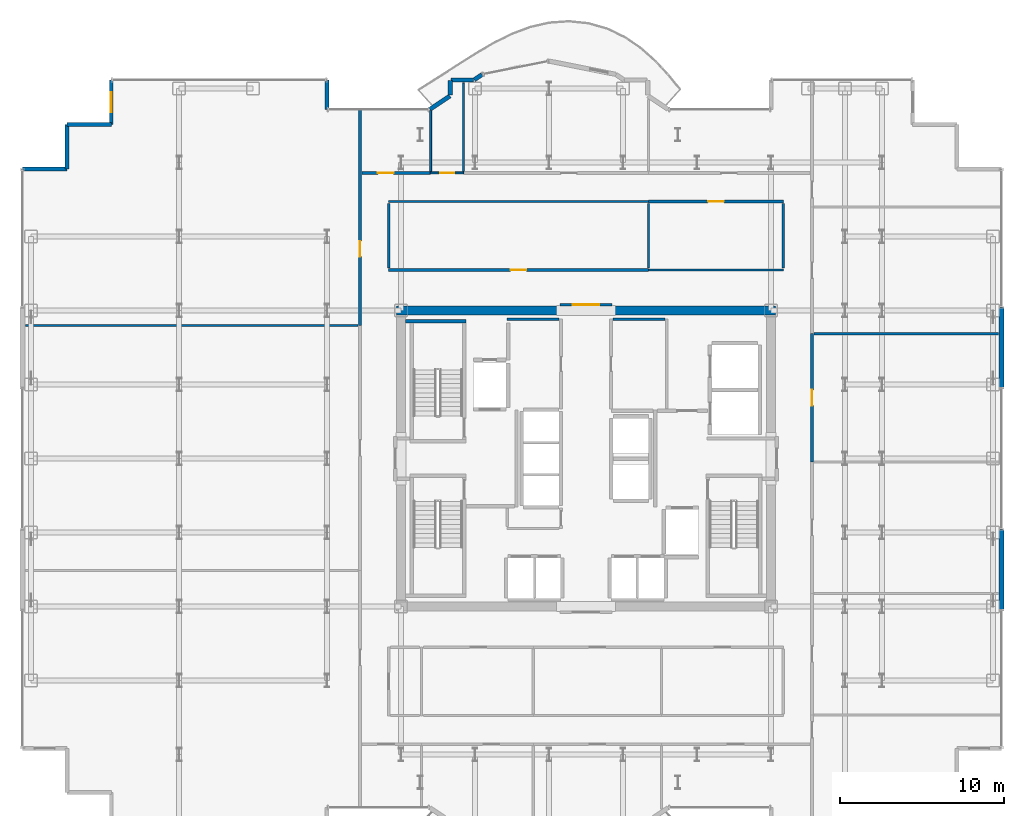
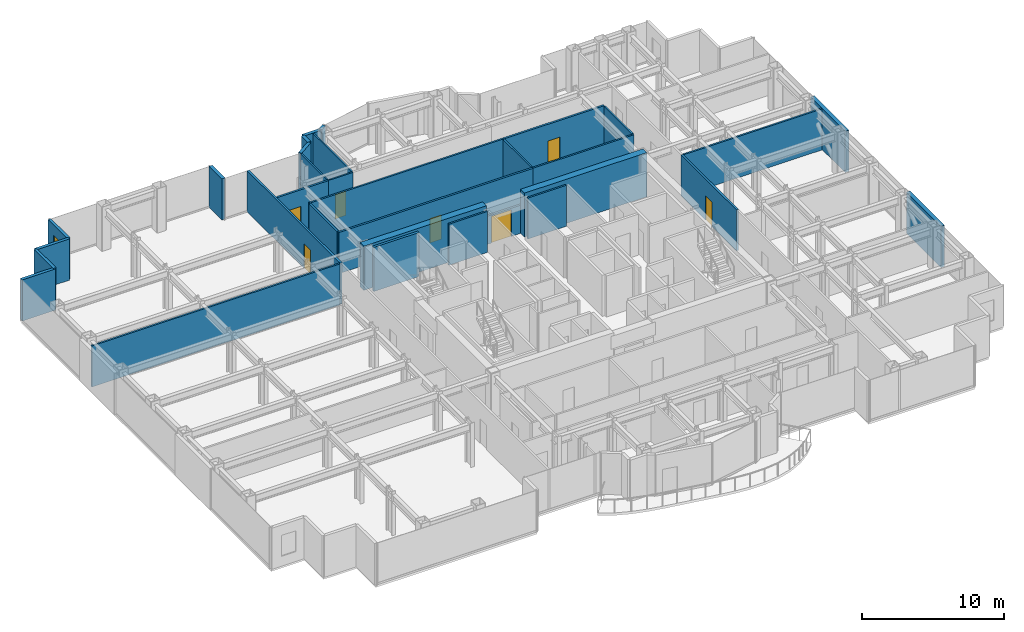
# One storey, part 22 of 25: 32 walls, 7 doors, 1 window, 8 openings.
"""IFC4 building model written with IfcOpenShell, lengths in metres."""

from ifc_helpers import new_model, si_unit, direction, frame, frame_2d, origin, place, context, subcontext, project, spatial, rectangle, extrude, source, transform, mapped, material, layer, layer_set, type_object, element, fill, save


model = new_model("IFC4")

# Units and contexts
model_context = context("Model", 3, precision=1e-05, world=origin(), true_north=direction((0.0, 1.0)))
body_context = subcontext(model_context, "Body", "Model", "MODEL_VIEW")
ifc_project = project(units=[si_unit("LENGTHUNIT", "METRE"), si_unit("AREAUNIT", "SQUARE_METRE"), si_unit("VOLUMEUNIT", "CUBIC_METRE"), si_unit("PLANEANGLEUNIT", "RADIAN"), si_unit("MASSUNIT", "GRAM", prefix="KILO")], contexts=[model_context])

# Site, building, storey
site_placement = place(None, origin())
site = spatial("IfcSite", under=ifc_project, at=site_placement, CompositionType="ELEMENT")
building_placement = place(site_placement, origin())
building = spatial("IfcBuilding", under=site, at=building_placement, Name="Nefas-Gora Pilgrimage Tower", CompositionType="ELEMENT")
storey_placement = place(building_placement, frame((0.0, 0.0, 194.39990234375)))
storey = spatial("IfcBuildingStorey", under=building, at=storey_placement, Name="L48", CompositionType="ELEMENT", Elevation=194.39990234375)

# Walls
ifc_material_1 = material(Name="Concrete C60/75", Category="concrete")
ifc_layer_1 = layer(ifc_material_1, 0.550048828125)
ifc_layer_set_1 = layer_set([ifc_layer_1], Name="Concrete C60/75")
wall_type_1 = type_object("IfcWallType", Name="SW-CORE-550", PredefinedType="SHEAR", material=ifc_layer_set_1)
shared_shape_1 = source(origin(), body_context, "Body", "SweptSolid", [
    extrude(rectangle(XDim=9.974853515625, YDim=0.550048828125, at=frame_2d((4.9873046875, 0.0))), origin(), (0.0, 0.0, 1.0), 3.800048828125),
])
for number, where, z_axis, x_axis, name in (
    (1, (-11.52490234375, 9.0, 0.0), (0.0, 0.0, 1.0), (1.0, 0.0, 0.0), "L48 Core Shear Wall N-West"),
    (2, (1.550048828125, 9.0, 0.0), (0.0, 0.0, 1.0), (1.0, 0.0, 0.0), "L48 Core Shear Wall N-East"),
):
    element("IfcWall", number, at=place(storey_placement, frame(where, z_axis=z_axis, x_axis=x_axis)), inside=storey, type_object=wall_type_1, Name=name, PredefinedType="SHEAR", context=body_context, shape_type="MappedRepresentation", body=[
        mapped(shared_shape_1, transform((0.0, 0.0, 0.0), x_axis=(1.0, 0.0, 0.0), y_axis=(0.0, 1.0, 0.0), z_axis=(0.0, 0.0, 1.0), scale=1.0)),
    ])
ifc_material_2 = material(Name="Precast concrete C45/55", Category="concrete")
ifc_layer_2 = layer(ifc_material_2, 0.239990234375)
ifc_layer_set_2 = layer_set([ifc_layer_2], Name="Precast concrete C45/55")
wall_type_2 = type_object("IfcWallType", Name="EW-SERR-240", PredefinedType="SHEAR", material=ifc_layer_set_2)
shared_shape_2 = source(origin(), body_context, "Body", "SweptSolid", [
    extrude(rectangle(XDim=4.8798828125, YDim=0.300048828125, at=frame_2d((2.43994140625, 0.0))), origin(), (0.0, 0.0, 1.0), 3.550048828125),
])
for number, where, z_axis, x_axis, name in (
    (3, (25.27001953125, -9.18994140625, 0.0), (0.0, 0.0, 1.0), (0.0, 1.0, 0.0), "L48 Braced-Tube Precast Shear Cladding 3"),
    (4, (25.27001953125, 4.31005859375, 0.0), (0.0, 0.0, 1.0), (0.0, 1.0, 0.0), "L48 Braced-Tube Precast Shear Cladding 4"),
):
    element("IfcWall", number, at=place(storey_placement, frame(where, z_axis=z_axis, x_axis=x_axis)), inside=storey, type_object=wall_type_2, Name=name, PredefinedType="SHEAR", context=body_context, shape_type="MappedRepresentation", body=[
        mapped(shared_shape_2, transform((0.0, 0.0, 0.0), x_axis=(1.0, 0.0, 0.0), y_axis=(0.0, 1.0, 0.0), z_axis=(0.0, 0.0, 1.0), scale=1.0)),
    ])
ifc_material_3 = material(Name="Precast concrete C40/50", Category="concrete")
ifc_layer_3 = layer(ifc_material_3, 0.260009765625)
ifc_layer_set_3 = layer_set([ifc_layer_3], Name="Precast concrete C40/50")
wall_type_3 = type_object("IfcWallType", Name="EW-PORTAL-260", PredefinedType="SOLIDWALL", material=ifc_layer_set_3)
shared_shape_3 = source(origin(), body_context, "Body", "SweptSolid", [
    extrude(rectangle(XDim=1.800048828125, YDim=0.260009765625, at=frame_2d((0.89990234375, 0.0))), origin(), (0.0, 0.0, 1.0), 3.550048828125),
])
wall_1_placement = place(storey_placement, frame((-15.75, 21.219970703125, 0.0), z_axis=(0.0, 0.0, 1.0), x_axis=(0.0, 1.0, 0.0)))
element("IfcWall", 5, at=wall_1_placement, inside=storey, type_object=wall_type_3, Name="L48 Lobe Shoulder Precast Spandrel Pier 24", PredefinedType="SOLIDWALL", context=body_context, shape_type="MappedRepresentation", body=[
    mapped(shared_shape_3, transform((0.0, 0.0, 0.0), x_axis=(1.0, 0.0, 0.0), y_axis=(0.0, 1.0, 0.0), z_axis=(0.0, 0.0, 1.0), scale=1.0)),
])

# Wall, opening, window
shared_shape_4 = source(origin(), body_context, "Body", "SweptSolid", [
    extrude(rectangle(XDim=2.699951171875, YDim=0.239990234375, at=frame_2d((1.35009765625, 0.0))), origin(), (0.0, 0.0, 1.0), 3.550048828125),
])
wall_2_placement = place(storey_placement, frame((-28.8701171875, 23.02001953125, 0.0), z_axis=(0.0, 0.0, 1.0), x_axis=(0.0, -1.0, 0.0)))
wall_2 = element("IfcWall", 6, at=wall_2_placement, inside=storey, type_object=wall_type_2, Name="L48 Serrated Corner Shear Pier Wall 25", PredefinedType="SHEAR", context=body_context, shape_type="MappedRepresentation", body=[
    mapped(shared_shape_4, transform((0.0, 0.0, 0.0), x_axis=(1.0, 0.0, 0.0), y_axis=(0.0, 1.0, 0.0), z_axis=(0.0, 0.0, 1.0), scale=1.0)),
])
opening_1_placement = place(wall_2_placement, frame((0.75, 0.0, 0.85009765625)))
opening_1 = element("IfcOpeningElement", 7, at=opening_1_placement, cuts=wall_2, Name="Opening W-V1", PredefinedType="OPENING", context=body_context, shape_type="SweptSolid", body=[
    extrude(rectangle(XDim=1.199951171875, YDim=1.800048828125, at=frame_2d((0.60009765625, 0.89990234375))), frame((0.0, 0.1298828125, 0.0), z_axis=(0.0, -1.0, 0.0), x_axis=(1.0, 0.0, 0.0)), (0.0, 0.0, 1.0), 0.260009765625),
])
ifc_material_4 = material(Name="Dark ceramic-fritted operable aluminium-glass window", Category="aluminium")
window_type = type_object("IfcWindowType", Name="WIN-VENT-1200x1800", PartitioningType="SINGLE_PANEL", PredefinedType="WINDOW", material=ifc_material_4)
shared_shape_5 = source(origin(), body_context, "Body", "SweptSolid", [
    extrude(rectangle(XDim=1.199951171875, YDim=1.800048828125, at=frame_2d((0.60009765625, 0.89990234375))), frame((0.0, 0.030029296875, 0.0), z_axis=(0.0, -1.0, 0.0), x_axis=(1.0, 0.0, 0.0)), (0.0, 0.0, 1.0), 0.06005859375),
])
window_placement = place(opening_1_placement, origin())
window = element("IfcWindow", 8, at=window_placement, inside=storey, type_object=window_type, Name="L48 Operable Parallel-Outswing Window 25", OverallHeight=1.800048828125, OverallWidth=1.199951171875, PartitioningType="SINGLE_PANEL", PredefinedType="WINDOW", context=body_context, shape_type="MappedRepresentation", body=[
    mapped(shared_shape_5, transform((0.0, 0.0, 0.0), x_axis=(1.0, 0.0, 0.0), y_axis=(0.0, 1.0, 0.0), z_axis=(0.0, 0.0, 1.0), scale=1.0)),
])
fill(opening_1, window)

# Walls
for number, where, z_axis, x_axis, name in (
    (9, (-28.8701171875, 20.320068359375, 0.0), (0.0, 0.0, 1.0), (-1.0, 0.0, 0.0), "L48 Serrated Corner Shear Pier Wall 26"),
    (10, (-31.570068359375, 20.320068359375, 0.0), (0.0, 0.0, 1.0), (0.0, -1.0, 0.0), "L48 Serrated Corner Shear Pier Wall 27"),
    (11, (-31.570068359375, 17.6201171875, 0.0), (0.0, 0.0, 1.0), (-1.0, 0.0, 0.0), "L48 Serrated Corner Shear Pier Wall 28"),
):
    element("IfcWall", number, at=place(storey_placement, frame(where, z_axis=z_axis, x_axis=x_axis)), inside=storey, type_object=wall_type_2, Name=name, PredefinedType="SHEAR", context=body_context, shape_type="MappedRepresentation", body=[
        mapped(shared_shape_4, transform((0.0, 0.0, 0.0), x_axis=(1.0, 0.0, 0.0), y_axis=(0.0, 1.0, 0.0), z_axis=(0.0, 0.0, 1.0), scale=1.0)),
    ])
shared_shape_6 = source(origin(), body_context, "Body", "SweptSolid", [
    extrude(rectangle(XDim=1.468994140625, YDim=0.260009765625, at=frame_2d((0.734375, 0.0))), origin(), (0.0, 0.0, 1.0), 3.550048828125),
])
wall_3_placement = place(storey_placement, frame((-8.273193359375, 22.0517578125, 0.0), z_axis=(0.0, 0.0, 1.0), x_axis=(-0.831461760506, -0.555581983884, 0.0)))
element("IfcWall", 12, at=wall_3_placement, inside=storey, type_object=wall_type_3, Name="L48 Lobe Shoulder Precast Spandrel Pier 23", PredefinedType="SOLIDWALL", context=body_context, shape_type="MappedRepresentation", body=[
    mapped(shared_shape_6, transform((0.0, 0.0, 0.0), x_axis=(1.0, 0.0, 0.0), y_axis=(0.0, 1.0, 0.0), z_axis=(0.0, 0.0, 1.0), scale=1.0)),
])
shared_shape_7 = source(origin(), body_context, "Body", "SweptSolid", [
    extrude(rectangle(XDim=0.896728515625, YDim=0.260009765625, at=frame_2d((0.4482421875, 0.0))), origin(), (0.0, 0.0, 1.0), 3.550048828125),
])
wall_4_placement = place(storey_placement, frame((-8.25, 22.991943359375, 0.0), z_axis=(0.0, 0.0, 1.0), x_axis=(0.0, -1.0, 0.0)))
element("IfcWall", 13, at=wall_4_placement, inside=storey, type_object=wall_type_3, Name="L48 Lobe Shoulder Precast Spandrel Pier 22", PredefinedType="SOLIDWALL", context=body_context, shape_type="MappedRepresentation", body=[
    mapped(shared_shape_7, transform((0.0, 0.0, 0.0), x_axis=(1.0, 0.0, 0.0), y_axis=(0.0, 1.0, 0.0), z_axis=(0.0, 0.0, 1.0), scale=1.0)),
])
shared_shape_8 = source(origin(), body_context, "Body", "SweptSolid", [
    extrude(rectangle(XDim=1.369873046875, YDim=0.260009765625, at=frame_2d((0.68505859375, 0.0))), origin(), (0.0, 0.0, 1.0), 3.550048828125),
])
wall_5_placement = place(storey_placement, frame((-6.85205078125, 23.02001953125, 0.0), z_axis=(0.0, 0.0, 1.0), x_axis=(-1.0, 0.0, 0.0)))
element("IfcWall", 14, at=wall_5_placement, inside=storey, type_object=wall_type_3, Name="L48 Lobe Shoulder Precast Spandrel Pier 21", PredefinedType="SOLIDWALL", context=body_context, shape_type="MappedRepresentation", body=[
    mapped(shared_shape_8, transform((0.0, 0.0, 0.0), x_axis=(1.0, 0.0, 0.0), y_axis=(0.0, 1.0, 0.0), z_axis=(0.0, 0.0, 1.0), scale=1.0)),
])
shared_shape_9 = source(origin(), body_context, "Body", "SweptSolid", [
    extrude(rectangle(XDim=0.5654296875, YDim=0.260009765625, at=frame_2d((0.28271484375, 0.0))), origin(), (0.0, 0.0, 1.0), 3.550048828125),
])
wall_6_placement = place(storey_placement, frame((-6.33056640625, 23.349609375, 0.0), z_axis=(0.0, 0.0, 1.0), x_axis=(-0.831651492666, -0.555297933317, 0.0)))
element("IfcWall", 15, at=wall_6_placement, inside=storey, type_object=wall_type_3, Name="L48 Lobe Shoulder Precast Spandrel Pier 20", PredefinedType="SOLIDWALL", context=body_context, shape_type="MappedRepresentation", body=[
    mapped(shared_shape_9, transform((0.0, 0.0, 0.0), x_axis=(1.0, 0.0, 0.0), y_axis=(0.0, 1.0, 0.0), z_axis=(0.0, 0.0, 1.0), scale=1.0)),
])
ifc_material_5 = material(Name="Concrete C45/55", Category="concrete")
ifc_layer_4 = layer(ifc_material_5, 0.199951171875)
ifc_layer_set_4 = layer_set([ifc_layer_4], Name="Concrete C45/55")
wall_type_4 = type_object("IfcWallType", Name="IW-STAIR-200", PredefinedType="SOLIDWALL", material=ifc_layer_set_4)
shared_shape_10 = source(origin(), body_context, "Body", "SweptSolid", [
    extrude(rectangle(XDim=3.679931640625, YDim=0.199951171875, at=frame_2d((1.83984375, 0.0))), origin(), (0.0, 0.0, 1.0), 3.800048828125),
])
wall_7_placement = place(storey_placement, frame((-7.300048828125, 8.35009765625, 0.0), z_axis=(0.0, 0.0, 1.0), x_axis=(-1.0, 0.0, 0.0)))
element("IfcWall", 16, at=wall_7_placement, inside=storey, type_object=wall_type_4, Name="L48 Stairwell Shear Wall ST-01-far", PredefinedType="SOLIDWALL", context=body_context, shape_type="MappedRepresentation", body=[
    mapped(shared_shape_10, transform((0.0, 0.0, 0.0), x_axis=(1.0, 0.0, 0.0), y_axis=(0.0, 1.0, 0.0), z_axis=(0.0, 0.0, 1.0), scale=1.0)),
])
ifc_material_6 = material(Name="Gypsum twin-stud partition")
ifc_layer_5 = layer(ifc_material_6, 0.139892578125)
ifc_layer_set_5 = layer_set([ifc_layer_5], Name="Gypsum twin-stud partition")
wall_type_5 = type_object("IfcWallType", Name="IW-UNIT-140", PredefinedType="PARTITIONING", material=ifc_layer_set_5)
shared_shape_11 = source(origin(), body_context, "Body", "SweptSolid", [
    extrude(rectangle(XDim=3.150146484375, YDim=0.139892578125, at=frame_2d((1.5751953125, 0.0))), origin(), (0.0, 0.0, 1.0), 3.53515625),
])
for number, where, z_axis, x_axis, name in (
    (17, (-4.7900390625, 8.47998046875, 0.0), (0.0, 0.0, 1.0), (1.0, 0.0, 0.0), "L48 Housekeeping and Linen Store Partition Wall 19"),
    (18, (1.639892578125, 8.47998046875, 0.0), (0.0, 0.0, 1.0), (1.0, 0.0, 0.0), "L48 Freed Bank-1 Amenity Supply Store Partition Wall 24"),
):
    element("IfcWall", number, at=place(storey_placement, frame(where, z_axis=z_axis, x_axis=x_axis)), inside=storey, type_object=wall_type_5, Name=name, PredefinedType="PARTITIONING", context=body_context, shape_type="MappedRepresentation", body=[
        mapped(shared_shape_11, transform((0.0, 0.0, 0.0), x_axis=(1.0, 0.0, 0.0), y_axis=(0.0, 1.0, 0.0), z_axis=(0.0, 0.0, 1.0), scale=1.0)),
    ])

# Wall, opening, door
ifc_material_7 = material(Name="Moisture-resistant fire-rated gypsum partition")
ifc_layer_6 = layer(ifc_material_7, 0.1201171875)
ifc_layer_set_6 = layer_set([ifc_layer_6], Name="Moisture-resistant fire-rated gypsum partition")
wall_type_6 = type_object("IfcWallType", Name="IW-WET-120", PredefinedType="PLUMBINGWALL", material=ifc_layer_set_6)
shared_shape_12 = source(origin(), body_context, "Body", "SweptSolid", [
    extrude(rectangle(XDim=2.02001953125, YDim=0.1201171875, at=frame_2d((1.010009765625, 0.0))), origin(), (0.0, 0.0, 1.0), 3.53515625),
])
wall_8_placement = place(storey_placement, frame((-9.4599609375, 17.3701171875, 0.0), z_axis=(0.0, 0.0, 1.0), x_axis=(1.0, 0.0, 0.0)))
wall_8 = element("IfcWall", 19, at=wall_8_placement, inside=storey, type_object=wall_type_6, Name="L48 Accessible Unisex WC Partition Wall 25", PredefinedType="PLUMBINGWALL", context=body_context, shape_type="MappedRepresentation", body=[
    mapped(shared_shape_12, transform((0.0, 0.0, 0.0), x_axis=(1.0, 0.0, 0.0), y_axis=(0.0, 1.0, 0.0), z_axis=(0.0, 0.0, 1.0), scale=1.0)),
])
opening_2_placement = place(wall_8_placement, frame((0.5849609375, 0.0, 0.0)))
opening_2 = element("IfcOpeningElement", 20, at=opening_2_placement, cuts=wall_8, Name="Opening ID-BT1", PredefinedType="OPENING", context=body_context, shape_type="SweptSolid", body=[
    extrude(rectangle(XDim=0.85009765625, YDim=2.10009765625, at=frame_2d((0.425048828125, 1.050048828125))), frame((0.0, 0.070068359375, 0.0), z_axis=(0.0, -1.0, 0.0), x_axis=(1.0, 0.0, 0.0)), (0.0, 0.0, 1.0), 0.14013671875),
])
ifc_material_8 = material(Name="Moisture-resistant fire-rated timber door", Category="wood")
door_type_1 = type_object("IfcDoorType", Name="DR-INT-BATH-850", OperationType="NOTDEFINED", PredefinedType="DOOR", material=ifc_material_8)
shared_shape_13 = source(origin(), body_context, "Body", "SweptSolid", [
    extrude(rectangle(XDim=0.85009765625, YDim=2.10009765625, at=frame_2d((0.425048828125, 1.050048828125))), frame((0.0, 0.02490234375, 0.0), z_axis=(0.0, -1.0, 0.0), x_axis=(1.0, 0.0, 0.0)), (0.0, 0.0, 1.0), 0.050048828125),
])
door_1_placement = place(opening_2_placement, origin())
door_1 = element("IfcDoor", 21, at=door_1_placement, inside=storey, type_object=door_type_1, Name="L48 Accessible Unisex WC Door 10", OperationType="SINGLE_SWING_LEFT", OverallHeight=2.10009765625, OverallWidth=0.85009765625, PredefinedType="DOOR", context=body_context, shape_type="MappedRepresentation", body=[
    mapped(shared_shape_13, transform((0.0, 0.0, 0.0), x_axis=(1.0, 0.0, 0.0), y_axis=(0.0, 1.0, 0.0), z_axis=(0.0, 0.0, 1.0), scale=1.0)),
])
fill(opening_2, door_1)

# Wall
shared_shape_14 = source(origin(), body_context, "Body", "SweptSolid", [
    extrude(rectangle(XDim=20.219970703125, YDim=0.139892578125, at=frame_2d((10.10986328125, 0.0))), origin(), (0.0, 0.0, 1.0), 3.53515625),
])
wall_9_placement = place(storey_placement, frame((-34.080078125, 8.097412109375, 0.0), z_axis=(0.0, 0.0, 1.0), x_axis=(1.0, 0.0, 0.0)))
element("IfcWall", 22, at=wall_9_placement, inside=storey, type_object=wall_type_5, Name="L48 Pilgrim Devotional Prayer Gallery Partition Wall 31", PredefinedType="PARTITIONING", context=body_context, shape_type="MappedRepresentation", body=[
    mapped(shared_shape_14, transform((0.0, 0.0, 0.0), x_axis=(1.0, 0.0, 0.0), y_axis=(0.0, 1.0, 0.0), z_axis=(0.0, 0.0, 1.0), scale=1.0)),
])

# Wall, opening, door
ifc_material_9 = material(Name="Gypsum acoustic stud partition")
ifc_layer_7 = layer(ifc_material_9, 0.159912109375)
ifc_layer_set_7 = layer_set([ifc_layer_7], Name="Gypsum acoustic stud partition")
wall_type_7 = type_object("IfcWallType", Name="IW-CORR-160", PredefinedType="PARTITIONING", material=ifc_layer_set_7)
shared_shape_15 = source(origin(), body_context, "Body", "SweptSolid", [
    extrude(rectangle(XDim=3.16015625, YDim=0.159912109375, at=frame_2d((1.580078125, 0.0))), origin(), (0.0, 0.0, 1.0), 2.425048828125),
])
wall_10_placement = place(storey_placement, frame((-1.580078125, 9.35009765625, 0.0), z_axis=(0.0, 0.0, 1.0), x_axis=(1.0, 0.0, 0.0)))
wall_10 = element("IfcWall", 23, at=wall_10_placement, inside=storey, type_object=wall_type_7, Name="L48 Central Lift Lobby North Portal Wall 15", PredefinedType="PARTITIONING", context=body_context, shape_type="MappedRepresentation", body=[
    mapped(shared_shape_15, transform((0.0, 0.0, 0.0), x_axis=(1.0, 0.0, 0.0), y_axis=(0.0, 1.0, 0.0), z_axis=(0.0, 0.0, 1.0), scale=1.0)),
])
opening_3_placement = place(wall_10_placement, frame((0.780029296875, 0.0, 0.0)))
opening_3 = element("IfcOpeningElement", 24, at=opening_3_placement, cuts=wall_10, Name="Opening ID-HL1", PredefinedType="OPENING", context=body_context, shape_type="SweptSolid", body=[
    extrude(rectangle(XDim=1.60009765625, YDim=2.300048828125, at=frame_2d((0.800048828125, 1.14990234375))), frame((0.0, 0.08984375, 0.0), z_axis=(0.0, -1.0, 0.0), x_axis=(1.0, 0.0, 0.0)), (0.0, 0.0, 1.0), 0.179931640625),
])
ifc_material_10 = material(Name="Double acoustic timber assembly hall door", Category="wood")
door_type_2 = type_object("IfcDoorType", Name="DR-INT-HALL-1600", OperationType="DOUBLE_DOOR_SINGLE_SWING", PredefinedType="DOOR", material=ifc_material_10)
shared_shape_16 = source(origin(), body_context, "Body", "SweptSolid", [
    extrude(rectangle(XDim=1.60009765625, YDim=2.300048828125, at=frame_2d((0.800048828125, 1.14990234375))), frame((0.0, 0.02490234375, 0.0), z_axis=(0.0, -1.0, 0.0), x_axis=(1.0, 0.0, 0.0)), (0.0, 0.0, 1.0), 0.050048828125),
])
door_2_placement = place(opening_3_placement, origin())
door_2 = element("IfcDoor", 25, at=door_2_placement, inside=storey, type_object=door_type_2, Name="L48 Central Lift Lobby North Portal Door 5", OperationType="DOUBLE_DOOR_SINGLE_SWING", OverallHeight=2.300048828125, OverallWidth=1.60009765625, PredefinedType="DOOR", context=body_context, shape_type="MappedRepresentation", body=[
    mapped(shared_shape_16, transform((0.0, 0.0, 0.0), x_axis=(1.0, 0.0, 0.0), y_axis=(0.0, 1.0, 0.0), z_axis=(0.0, 0.0, 1.0), scale=1.0)),
])
fill(opening_3, door_2)

# Walls
shared_shape_17 = source(origin(), body_context, "Body", "SweptSolid", [
    extrude(rectangle(XDim=5.380126953125, YDim=0.1201171875, at=frame_2d((2.68994140625, 0.0))), origin(), (0.0, 0.0, 1.0), 3.53515625),
])
wall_11_placement = place(storey_placement, frame((-7.449951171875, 17.469970703125, 0.0), z_axis=(0.0, 0.0, 1.0), x_axis=(0.0, 1.0, 0.0)))
element("IfcWall", 26, at=wall_11_placement, inside=storey, type_object=wall_type_6, Name="L48 Accessible Unisex WC Partition Wall 26", PredefinedType="PLUMBINGWALL", context=body_context, shape_type="MappedRepresentation", body=[
    mapped(shared_shape_17, transform((0.0, 0.0, 0.0), x_axis=(1.0, 0.0, 0.0), y_axis=(0.0, 1.0, 0.0), z_axis=(0.0, 0.0, 1.0), scale=1.0)),
])
shared_shape_18 = source(origin(), body_context, "Body", "SweptSolid", [
    extrude(rectangle(XDim=3.686767578125, YDim=0.1201171875, at=frame_2d((1.84326171875, 0.0))), origin(), (0.0, 0.0, 1.0), 3.53515625),
])
wall_12_placement = place(storey_placement, frame((-9.449951171875, 17.469970703125, 0.0), z_axis=(0.0, 0.0, 1.0), x_axis=(0.0, 1.0, 0.0)))
element("IfcWall", 27, at=wall_12_placement, inside=storey, type_object=wall_type_6, Name="L48 Accessible Unisex WC Partition Wall 27", PredefinedType="PLUMBINGWALL", context=body_context, shape_type="MappedRepresentation", body=[
    mapped(shared_shape_18, transform((0.0, 0.0, 0.0), x_axis=(1.0, 0.0, 0.0), y_axis=(0.0, 1.0, 0.0), z_axis=(0.0, 0.0, 1.0), scale=1.0)),
])
shared_shape_19 = source(origin(), body_context, "Body", "SweptSolid", [
    extrude(rectangle(XDim=3.929931640625, YDim=0.139892578125, at=frame_2d((1.96484375, 0.0))), origin(), (0.0, 0.0, 1.0), 3.53515625),
])
for number, where, z_axis, x_axis, name in (
    (28, (-12.0, 11.590087890625, 0.0), (0.0, 0.0, 1.0), (0.0, 1.0, 0.0), "L48 Pilgrim Contemplative Lounge Partition Wall 46"),
    (29, (3.794921875, 11.590087890625, 0.0), (0.0, 0.0, 1.0), (0.0, 1.0, 0.0), "L48 Pilgrim Contemplative Lounge Partition Wall 47"),
    (30, (12.0, 11.580078125, 0.0), (0.0, 0.0, 1.0), (0.0, 1.0, 0.0), "L48 Pastoral Chaplains Counselling Office Partition Wall 54"),
):
    element("IfcWall", number, at=place(storey_placement, frame(where, z_axis=z_axis, x_axis=x_axis)), inside=storey, type_object=wall_type_5, Name=name, PredefinedType="PARTITIONING", context=body_context, shape_type="MappedRepresentation", body=[
        mapped(shared_shape_19, transform((0.0, 0.0, 0.0), x_axis=(1.0, 0.0, 0.0), y_axis=(0.0, 1.0, 0.0), z_axis=(0.0, 0.0, 1.0), scale=1.0)),
    ])

# Wall, opening, door
shared_shape_20 = source(origin(), body_context, "Body", "SweptSolid", [
    extrude(rectangle(XDim=4.16015625, YDim=0.159912109375, at=frame_2d((2.080078125, 0.0))), origin(), (0.0, 0.0, 1.0), 3.53515625),
])
wall_13_placement = place(storey_placement, frame((-13.6201171875, 17.3701171875, 0.0), z_axis=(0.0, 0.0, 1.0), x_axis=(1.0, 0.0, 0.0)))
wall_13 = element("IfcWall", 31, at=wall_13_placement, inside=storey, type_object=wall_type_7, Name="L48 Pilgrim Contemplative Lounge Partition Wall 50", PredefinedType="PARTITIONING", context=body_context, shape_type="MappedRepresentation", body=[
    mapped(shared_shape_20, transform((0.0, 0.0, 0.0), x_axis=(1.0, 0.0, 0.0), y_axis=(0.0, 1.0, 0.0), z_axis=(0.0, 0.0, 1.0), scale=1.0)),
])
opening_4_placement = place(wall_13_placement, frame((0.968994140625, 0.0, 0.0)))
opening_4 = element("IfcOpeningElement", 32, at=opening_4_placement, cuts=wall_13, Name="Opening ID-GR1", PredefinedType="OPENING", context=body_context, shape_type="SweptSolid", body=[
    extrude(rectangle(XDim=0.949951171875, YDim=2.10009765625, at=frame_2d((0.47509765625, 1.050048828125))), frame((0.0, 0.08984375, 0.0), z_axis=(0.0, -1.0, 0.0), x_axis=(1.0, 0.0, 0.0)), (0.0, 0.0, 1.0), 0.179931640625),
])
ifc_material_11 = material(Name="Solid core oak fire-rated guest entrance door")
door_type_3 = type_object("IfcDoorType", Name="DR-INT-GUEST-950", OperationType="NOTDEFINED", PredefinedType="DOOR", material=ifc_material_11)
shared_shape_21 = source(origin(), body_context, "Body", "SweptSolid", [
    extrude(rectangle(XDim=0.949951171875, YDim=2.10009765625, at=frame_2d((0.47509765625, 1.050048828125))), frame((0.0, 0.02490234375, 0.0), z_axis=(0.0, -1.0, 0.0), x_axis=(1.0, 0.0, 0.0)), (0.0, 0.0, 1.0), 0.050048828125),
])
door_3_placement = place(opening_4_placement, origin())
door_3 = element("IfcDoor", 33, at=door_3_placement, inside=storey, type_object=door_type_3, Name="L48 Pilgrim Contemplative Lounge Door 22", OperationType="SINGLE_SWING_LEFT", OverallHeight=2.10009765625, OverallWidth=0.949951171875, PredefinedType="DOOR", context=body_context, shape_type="MappedRepresentation", body=[
    mapped(shared_shape_21, transform((0.0, 0.0, 0.0), x_axis=(1.0, 0.0, 0.0), y_axis=(0.0, 1.0, 0.0), z_axis=(0.0, 0.0, 1.0), scale=1.0)),
])
fill(opening_4, door_3)

# Wall
shared_shape_22 = source(origin(), body_context, "Body", "SweptSolid", [
    extrude(rectangle(XDim=11.219970703125, YDim=0.139892578125, at=frame_2d((5.60986328125, 0.0))), origin(), (0.0, 0.0, 1.0), 3.53515625),
])
wall_14_placement = place(storey_placement, frame((13.860107421875, 7.594970703125, 0.0), z_axis=(0.0, 0.0, 1.0), x_axis=(1.0, 0.0, 0.0)))
element("IfcWall", 34, at=wall_14_placement, inside=storey, type_object=wall_type_5, Name="L48 Pilgrim Contemplative Lounge Partition Wall 40", PredefinedType="PARTITIONING", context=body_context, shape_type="MappedRepresentation", body=[
    mapped(shared_shape_22, transform((0.0, 0.0, 0.0), x_axis=(1.0, 0.0, 0.0), y_axis=(0.0, 1.0, 0.0), z_axis=(0.0, 0.0, 1.0), scale=1.0)),
])

# Wall, opening, door
shared_shape_23 = source(origin(), body_context, "Body", "SweptSolid", [
    extrude(rectangle(XDim=13.152587890625, YDim=0.159912109375, at=frame_2d((6.576171875, 0.0))), origin(), (0.0, 0.0, 1.0), 3.53515625),
])
wall_15_placement = place(storey_placement, frame((-13.739990234375, 8.08740234375, 0.0), z_axis=(0.0, 0.0, 1.0), x_axis=(0.0, 1.0, 0.0)))
wall_15 = element("IfcWall", 35, at=wall_15_placement, inside=storey, type_object=wall_type_7, Name="L48 Pilgrim Devotional Prayer Gallery Partition Wall 30", PredefinedType="PARTITIONING", context=body_context, shape_type="MappedRepresentation", body=[
    mapped(shared_shape_23, transform((0.0, 0.0, 0.0), x_axis=(1.0, 0.0, 0.0), y_axis=(0.0, 1.0, 0.0), z_axis=(0.0, 0.0, 1.0), scale=1.0)),
])
opening_5_placement = place(wall_15_placement, frame((4.186279296875, 0.0, 0.0)))
opening_5 = element("IfcOpeningElement", 36, at=opening_5_placement, cuts=wall_15, Name="Opening ID-GR1", PredefinedType="OPENING", context=body_context, shape_type="SweptSolid", body=[
    extrude(rectangle(XDim=0.949951171875, YDim=2.10009765625, at=frame_2d((0.47509765625, 1.050048828125))), frame((0.0, 0.08984375, 0.0), z_axis=(0.0, -1.0, 0.0), x_axis=(1.0, 0.0, 0.0)), (0.0, 0.0, 1.0), 0.179931640625),
])
door_4_placement = place(opening_5_placement, origin())
door_4 = element("IfcDoor", 37, at=door_4_placement, inside=storey, type_object=door_type_3, Name="L48 Pilgrim Devotional Prayer Gallery Door 12", OperationType="SINGLE_SWING_LEFT", OverallHeight=2.10009765625, OverallWidth=0.949951171875, PredefinedType="DOOR", context=body_context, shape_type="MappedRepresentation", body=[
    mapped(shared_shape_21, transform((0.0, 0.0, 0.0), x_axis=(1.0, 0.0, 0.0), y_axis=(0.0, 1.0, 0.0), z_axis=(0.0, 0.0, 1.0), scale=1.0)),
])
fill(opening_5, door_4)

shared_shape_24 = source(origin(), body_context, "Body", "SweptSolid", [
    extrude(rectangle(XDim=7.81005859375, YDim=0.159912109375, at=frame_2d((3.905029296875, 0.0))), origin(), (0.0, 0.0, 1.0), 3.53515625),
])
wall_16_placement = place(storey_placement, frame((13.739990234375, -0.205078125, 0.0), z_axis=(0.0, 0.0, 1.0), x_axis=(0.0, 1.0, 0.0)))
wall_16 = element("IfcWall", 38, at=wall_16_placement, inside=storey, type_object=wall_type_7, Name="L48 Pilgrim Contemplative Lounge Partition Wall 39", PredefinedType="PARTITIONING", context=body_context, shape_type="MappedRepresentation", body=[
    mapped(shared_shape_24, transform((0.0, 0.0, 0.0), x_axis=(1.0, 0.0, 0.0), y_axis=(0.0, 1.0, 0.0), z_axis=(0.0, 0.0, 1.0), scale=1.0)),
])
opening_6_placement = place(wall_16_placement, frame((3.429931640625, 0.0, 0.0)))
opening_6 = element("IfcOpeningElement", 39, at=opening_6_placement, cuts=wall_16, Name="Opening ID-GR1", PredefinedType="OPENING", context=body_context, shape_type="SweptSolid", body=[
    extrude(rectangle(XDim=0.949951171875, YDim=2.10009765625, at=frame_2d((0.47509765625, 1.050048828125))), frame((0.0, 0.08984375, 0.0), z_axis=(0.0, -1.0, 0.0), x_axis=(1.0, 0.0, 0.0)), (0.0, 0.0, 1.0), 0.179931640625),
])
door_5_placement = place(opening_6_placement, origin())
door_5 = element("IfcDoor", 40, at=door_5_placement, inside=storey, type_object=door_type_3, Name="L48 Pilgrim Contemplative Lounge Door 17", OperationType="SINGLE_SWING_RIGHT", OverallHeight=2.10009765625, OverallWidth=0.949951171875, PredefinedType="DOOR", context=body_context, shape_type="MappedRepresentation", body=[
    mapped(shared_shape_21, transform((0.0, 0.0, 0.0), x_axis=(1.0, 0.0, 0.0), y_axis=(0.0, 1.0, 0.0), z_axis=(0.0, 0.0, 1.0), scale=1.0)),
])
fill(opening_6, door_5)

shared_shape_25 = source(origin(), body_context, "Body", "SweptSolid", [
    extrude(rectangle(XDim=15.81494140625, YDim=0.159912109375, at=frame_2d((7.907470703125, 0.0))), origin(), (0.0, 0.0, 1.0), 3.53515625),
])
wall_17_placement = place(storey_placement, frame((-12.010009765625, 11.469970703125, 0.0), z_axis=(0.0, 0.0, 1.0), x_axis=(1.0, 0.0, 0.0)))
wall_17 = element("IfcWall", 41, at=wall_17_placement, inside=storey, type_object=wall_type_7, Name="L48 Pilgrim Contemplative Lounge Partition Wall 44", PredefinedType="PARTITIONING", context=body_context, shape_type="MappedRepresentation", body=[
    mapped(shared_shape_25, transform((0.0, 0.0, 0.0), x_axis=(1.0, 0.0, 0.0), y_axis=(0.0, 1.0, 0.0), z_axis=(0.0, 0.0, 1.0), scale=1.0)),
])
opening_7_placement = place(wall_17_placement, frame((7.4326171875, 0.0, 0.0)))
opening_7 = element("IfcOpeningElement", 42, at=opening_7_placement, cuts=wall_17, Name="Opening ID-GR1", PredefinedType="OPENING", context=body_context, shape_type="SweptSolid", body=[
    extrude(rectangle(XDim=0.949951171875, YDim=2.10009765625, at=frame_2d((0.47509765625, 1.050048828125))), frame((0.0, 0.08984375, 0.0), z_axis=(0.0, -1.0, 0.0), x_axis=(1.0, 0.0, 0.0)), (0.0, 0.0, 1.0), 0.179931640625),
])
door_6_placement = place(opening_7_placement, origin())
door_6 = element("IfcDoor", 43, at=door_6_placement, inside=storey, type_object=door_type_3, Name="L48 Pilgrim Contemplative Lounge Door 20", OperationType="SINGLE_SWING_LEFT", OverallHeight=2.10009765625, OverallWidth=0.949951171875, PredefinedType="DOOR", context=body_context, shape_type="MappedRepresentation", body=[
    mapped(shared_shape_21, transform((0.0, 0.0, 0.0), x_axis=(1.0, 0.0, 0.0), y_axis=(0.0, 1.0, 0.0), z_axis=(0.0, 0.0, 1.0), scale=1.0)),
])
fill(opening_7, door_6)

# Wall
shared_shape_26 = source(origin(), body_context, "Body", "SweptSolid", [
    extrude(rectangle(XDim=15.81494140625, YDim=0.139892578125, at=frame_2d((7.907470703125, 0.0))), origin(), (0.0, 0.0, 1.0), 3.53515625),
])
wall_18_placement = place(storey_placement, frame((-12.010009765625, 15.6298828125, 0.0), z_axis=(0.0, 0.0, 1.0), x_axis=(1.0, 0.0, 0.0)))
element("IfcWall", 44, at=wall_18_placement, inside=storey, type_object=wall_type_5, Name="L48 Pilgrim Contemplative Lounge Partition Wall 45", PredefinedType="PARTITIONING", context=body_context, shape_type="MappedRepresentation", body=[
    mapped(shared_shape_26, transform((0.0, 0.0, 0.0), x_axis=(1.0, 0.0, 0.0), y_axis=(0.0, 1.0, 0.0), z_axis=(0.0, 0.0, 1.0), scale=1.0)),
])

# Wall, opening, door
shared_shape_27 = source(origin(), body_context, "Body", "SweptSolid", [
    extrude(rectangle(XDim=8.215087890625, YDim=0.159912109375, at=frame_2d((4.107421875, 0.0))), origin(), (0.0, 0.0, 1.0), 3.53515625),
])
wall_19_placement = place(storey_placement, frame((3.794921875, 15.6298828125, 0.0), z_axis=(0.0, 0.0, 1.0), x_axis=(1.0, 0.0, 0.0)))
wall_19 = element("IfcWall", 45, at=wall_19_placement, inside=storey, type_object=wall_type_7, Name="L48 Pastoral Chaplains Counselling Office Partition Wall 52", PredefinedType="PARTITIONING", context=body_context, shape_type="MappedRepresentation", body=[
    mapped(shared_shape_27, transform((0.0, 0.0, 0.0), x_axis=(1.0, 0.0, 0.0), y_axis=(0.0, 1.0, 0.0), z_axis=(0.0, 0.0, 1.0), scale=1.0)),
])
opening_8_placement = place(wall_19_placement, frame((3.632568359375, 0.0, 0.0)))
opening_8 = element("IfcOpeningElement", 46, at=opening_8_placement, cuts=wall_19, Name="Opening ID-GR1", PredefinedType="OPENING", context=body_context, shape_type="SweptSolid", body=[
    extrude(rectangle(XDim=0.949951171875, YDim=2.10009765625, at=frame_2d((0.47509765625, 1.050048828125))), frame((0.0, 0.08984375, 0.0), z_axis=(0.0, -1.0, 0.0), x_axis=(1.0, 0.0, 0.0)), (0.0, 0.0, 1.0), 0.179931640625),
])
door_7_placement = place(opening_8_placement, origin())
door_7 = element("IfcDoor", 47, at=door_7_placement, inside=storey, type_object=door_type_3, Name="L48 Pastoral Chaplains Counselling Office Door 24", OperationType="SINGLE_SWING_LEFT", OverallHeight=2.10009765625, OverallWidth=0.949951171875, PredefinedType="DOOR", context=body_context, shape_type="MappedRepresentation", body=[
    mapped(shared_shape_21, transform((0.0, 0.0, 0.0), x_axis=(1.0, 0.0, 0.0), y_axis=(0.0, 1.0, 0.0), z_axis=(0.0, 0.0, 1.0), scale=1.0)),
])
fill(opening_8, door_7)

# Wall
shared_shape_28 = source(origin(), body_context, "Body", "SweptSolid", [
    extrude(rectangle(XDim=8.215087890625, YDim=0.139892578125, at=frame_2d((4.107421875, 0.0))), origin(), (0.0, 0.0, 1.0), 3.53515625),
])
wall_20_placement = place(storey_placement, frame((3.794921875, 11.469970703125, 0.0), z_axis=(0.0, 0.0, 1.0), x_axis=(1.0, 0.0, 0.0)))
element("IfcWall", 48, at=wall_20_placement, inside=storey, type_object=wall_type_5, Name="L48 Pastoral Chaplains Counselling Office Partition Wall 53", PredefinedType="PARTITIONING", context=body_context, shape_type="MappedRepresentation", body=[
    mapped(shared_shape_28, transform((0.0, 0.0, 0.0), x_axis=(1.0, 0.0, 0.0), y_axis=(0.0, 1.0, 0.0), z_axis=(0.0, 0.0, 1.0), scale=1.0)),
])

save(model, "model.ifc")
